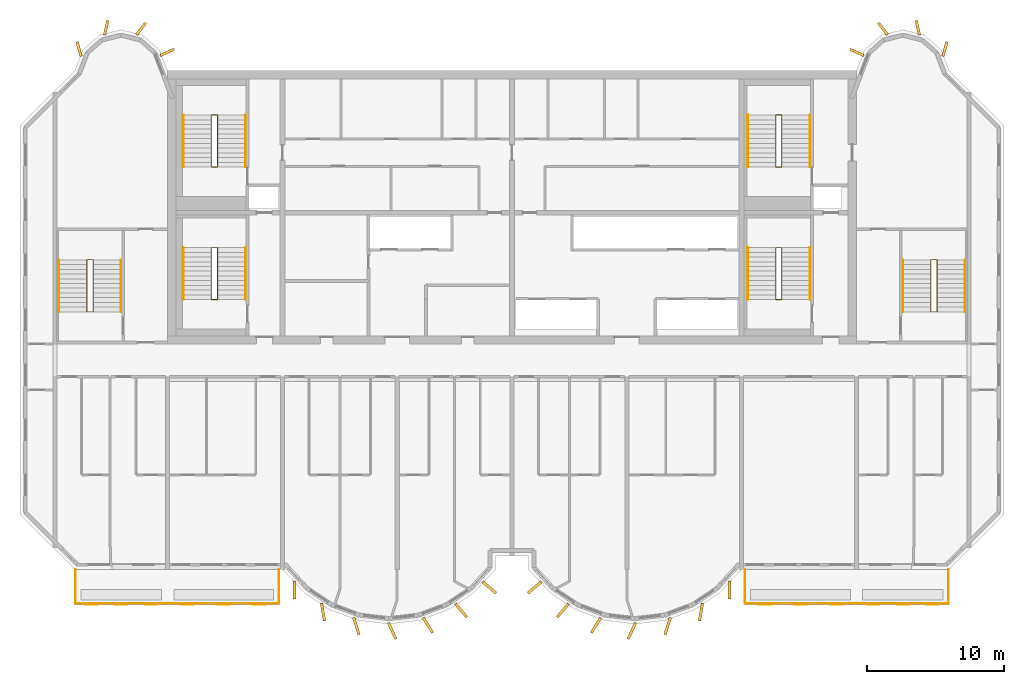
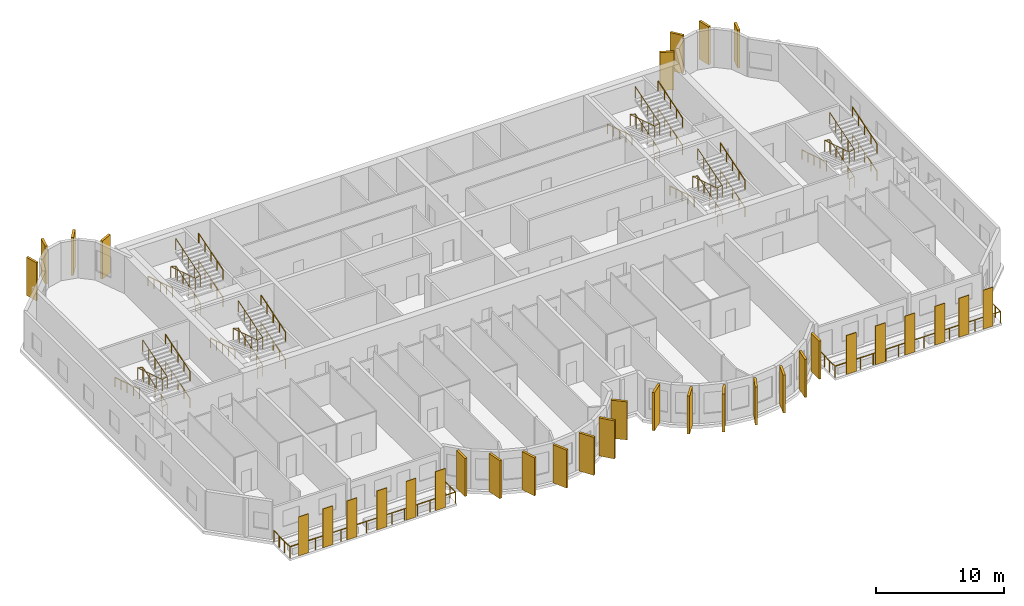
# One storey, part 10 of 11: 34 coverings, 26 railings.
"""IFC4 building model written with IfcOpenShell, lengths in metres."""

from ifc_helpers import new_model, si_unit, direction, frame, origin, origin_2d, place, context, subcontext, project, spatial, rectangle, circle, extrude, source, transform, mapped, material, layer, layer_set, material_profile, profile_set, type_object, element, save


model = new_model("IFC4")

# Units and contexts
model_context = context("Model", 3, precision=1e-05, world=origin(), true_north=direction((0.0, 1.0)))
body_context = subcontext(model_context, "Body", "Model", "MODEL_VIEW")
ifc_project = project(units=[si_unit("LENGTHUNIT", "METRE"), si_unit("AREAUNIT", "SQUARE_METRE"), si_unit("VOLUMEUNIT", "CUBIC_METRE"), si_unit("PLANEANGLEUNIT", "RADIAN"), si_unit("MASSUNIT", "GRAM", prefix="KILO")], contexts=[model_context])

# Site, building, storey
site_placement = place(None, origin())
site = spatial("IfcSite", under=ifc_project, at=site_placement, CompositionType="ELEMENT")
building_placement = place(site_placement, origin())
building = spatial("IfcBuilding", under=site, at=building_placement, Name="Vanashikhar Sky Hotel", CompositionType="ELEMENT")
storey_placement = place(building_placement, frame((0.0, 0.0, 229.60009765625)))
storey = spatial("IfcBuildingStorey", under=building, at=storey_placement, Name="L55", CompositionType="ELEMENT", Elevation=229.60009765625)

# Railings
ifc_material_1 = material(Name="Stainless steel 316", Category="steel")
railing_type_1 = type_object("IfcRailingType", Name="Balcony guard 1100", PredefinedType="GUARDRAIL", material=ifc_material_1)
shared_shape_1 = source(origin(), body_context, "Body", "SweptSolid", [
    extrude(circle(Radius=0.02392578125, at=origin_2d()), frame((0.0, 0.0, 1.076171875), z_axis=(0.0, -1.0, 0.0), x_axis=(1.0, 0.0, 0.0)), (0.0, 0.0, 1.0), 2.5),
    extrude(circle(Radius=0.02392578125, at=origin_2d()), frame((0.0, -2.5, 1.076171875), z_axis=(1.0, 0.0, 0.0), x_axis=(0.0, 1.0, 0.0)), (0.0, 0.0, 1.0), 14.880126953125),
    extrude(circle(Radius=0.02392578125, at=origin_2d()), frame((14.880126953125, -2.5, 1.076171875), z_axis=(0.0, 1.0, 0.0), x_axis=(-1.0, 0.0, 0.0)), (0.0, 0.0, 1.0), 2.5),
    extrude(circle(Radius=0.02099609375, at=origin_2d()), origin(), (0.0, 0.0, 1.0), 1.052001953125),
    extrude(circle(Radius=0.02099609375, at=origin_2d()), frame((0.0, -0.833251953125, 0.0)), (0.0, 0.0, 1.0), 1.052001953125),
    extrude(circle(Radius=0.02099609375, at=origin_2d()), frame((0.0, -1.666748046875, 0.0)), (0.0, 0.0, 1.0), 1.052001953125),
    extrude(circle(Radius=0.02099609375, at=origin_2d()), frame((0.0, -2.5, 0.0)), (0.0, 0.0, 1.0), 1.052001953125),
    extrude(circle(Radius=0.02099609375, at=origin_2d()), frame((1.14453125, -2.5, 0.0)), (0.0, 0.0, 1.0), 1.052001953125),
    extrude(circle(Radius=0.02099609375, at=origin_2d()), frame((2.289306640625, -2.5, 0.0)), (0.0, 0.0, 1.0), 1.052001953125),
    extrude(circle(Radius=0.02099609375, at=origin_2d()), frame((3.433837890625, -2.5, 0.0)), (0.0, 0.0, 1.0), 1.052001953125),
    extrude(circle(Radius=0.02099609375, at=origin_2d()), frame((4.57861328125, -2.5, 0.0)), (0.0, 0.0, 1.0), 1.052001953125),
    extrude(circle(Radius=0.02099609375, at=origin_2d()), frame((5.72314453125, -2.5, 0.0)), (0.0, 0.0, 1.0), 1.052001953125),
    extrude(circle(Radius=0.02099609375, at=origin_2d()), frame((6.86767578125, -2.5, 0.0)), (0.0, 0.0, 1.0), 1.052001953125),
    extrude(circle(Radius=0.02099609375, at=origin_2d()), frame((8.012451171875, -2.5, 0.0)), (0.0, 0.0, 1.0), 1.052001953125),
    extrude(circle(Radius=0.02099609375, at=origin_2d()), frame((9.156982421875, -2.5, 0.0)), (0.0, 0.0, 1.0), 1.052001953125),
    extrude(circle(Radius=0.02099609375, at=origin_2d()), frame((10.301513671875, -2.5, 0.0)), (0.0, 0.0, 1.0), 1.052001953125),
    extrude(circle(Radius=0.02099609375, at=origin_2d()), frame((11.4462890625, -2.5, 0.0)), (0.0, 0.0, 1.0), 1.052001953125),
    extrude(circle(Radius=0.02099609375, at=origin_2d()), frame((12.5908203125, -2.5, 0.0)), (0.0, 0.0, 1.0), 1.052001953125),
    extrude(circle(Radius=0.02099609375, at=origin_2d()), frame((13.735595703125, -2.5, 0.0)), (0.0, 0.0, 1.0), 1.052001953125),
    extrude(circle(Radius=0.02099609375, at=origin_2d()), frame((14.880126953125, -2.5, 0.0)), (0.0, 0.0, 1.0), 1.052001953125),
    extrude(circle(Radius=0.02099609375, at=origin_2d()), frame((14.880126953125, -1.666748046875, 0.0)), (0.0, 0.0, 1.0), 1.052001953125),
    extrude(circle(Radius=0.02099609375, at=origin_2d()), frame((14.880126953125, -0.833251953125, 0.0)), (0.0, 0.0, 1.0), 1.052001953125),
    extrude(circle(Radius=0.02099609375, at=origin_2d()), frame((14.880126953125, 0.0, 0.0)), (0.0, 0.0, 1.0), 1.052001953125),
])
for number, where, name in (
    (1, (18.4599609375, 5.5, -0.050048828125), "Balcony guard"),
    (2, (67.4599609375, 5.5, -0.050048828125), "Balcony guard"),
):
    element("IfcRailing", number, at=place(storey_placement, frame(where)), inside=storey, type_object=railing_type_1, Name=name, PredefinedType="GUARDRAIL", context=body_context, shape_type="MappedRepresentation", body=[
        mapped(shared_shape_1, transform((0.0, 0.0, 0.0), scale=1.0)),
    ])

# Coverings
ifc_material_2 = material(Name="Terracotta", Category="masonry")
ifc_layer = layer(ifc_material_2, 0.06005859375)
ifc_layer_set = layer_set([ifc_layer], Name="Terracotta baguette screen")
covering_type_1 = type_object("IfcCoveringType", Name="Terracotta baguette screen", PredefinedType="CLADDING", material=ifc_layer_set)
shared_shape_2 = source(origin(), body_context, "Body", "SweptSolid", [
    extrude(rectangle(XDim=0.89990234375, YDim=0.06005859375, at=origin_2d()), origin(), (0.0, 0.0, 1.0), 3.699951171875),
])
for number, where, z_axis, x_axis, name in (
    (3, (19.63330078125, 2.929931640625, -0.05029296875), (0.0, 0.0, 1.0), (1.0, 0.0, 0.0), "Terracotta screen"),
    (4, (21.800048828125, 2.929931640625, -0.05029296875), (0.0, 0.0, 1.0), (1.0, 0.0, 0.0), "Terracotta screen"),
    (5, (23.966796875, 2.929931640625, -0.05029296875), (0.0, 0.0, 1.0), (1.0, 0.0, 0.0), "Terracotta screen"),
    (6, (26.666748046875, 2.929931640625, -0.05029296875), (0.0, 0.0, 1.0), (1.0, 0.0, 0.0), "Terracotta screen"),
    (7, (29.300048828125, 2.929931640625, -0.05029296875), (0.0, 0.0, 1.0), (1.0, 0.0, 0.0), "Terracotta screen"),
    (8, (31.933349609375, 2.929931640625, -0.05029296875), (0.0, 0.0, 1.0), (1.0, 0.0, 0.0), "Terracotta screen"),
    (9, (68.86669921875, 2.929931640625, -0.05029296875), (0.0, 0.0, 1.0), (1.0, 0.0, 0.0), "Terracotta screen"),
    (10, (71.5, 2.929931640625, -0.05029296875), (0.0, 0.0, 1.0), (1.0, 0.0, 0.0), "Terracotta screen"),
    (11, (74.13330078125, 2.929931640625, -0.05029296875), (0.0, 0.0, 1.0), (1.0, 0.0, 0.0), "Terracotta screen"),
    (12, (76.833251953125, 2.929931640625, -0.05029296875), (0.0, 0.0, 1.0), (1.0, 0.0, 0.0), "Terracotta screen"),
    (13, (79.0, 2.929931640625, -0.05029296875), (0.0, 0.0, 1.0), (1.0, 0.0, 0.0), "Terracotta screen"),
    (14, (81.166748046875, 2.929931640625, -0.05029296875), (0.0, 0.0, 1.0), (1.0, 0.0, 0.0), "Terracotta screen"),
):
    element("IfcCovering", number, at=place(storey_placement, frame(where, z_axis=z_axis, x_axis=x_axis)), inside=storey, type_object=covering_type_1, Name=name, PredefinedType="CLADDING", context=body_context, shape_type="MappedRepresentation", body=[
        mapped(shared_shape_2, transform((0.0, 0.0, 0.0), scale=1.0)),
    ])
ifc_material_3 = material(Name="Concrete M60 dark", Category="concrete")
ifc_material_profile_1 = material_profile(ifc_material_3, rectangle(XDim=1.300048828125, YDim=0.199951171875, at=origin_2d()))
ifc_profile_set_1 = profile_set([ifc_material_profile_1], Name="Fin 1300 x 200")
covering_type_2 = type_object("IfcCoveringType", Name="Fin 1300 x 200", PredefinedType="CLADDING", material=ifc_profile_set_1)
shared_shape_3 = source(origin(), body_context, "Body", "SweptSolid", [
    extrude(rectangle(XDim=1.300048828125, YDim=0.199951171875, at=origin_2d()), origin(), (0.0, 0.0, 1.0), 3.619873046875),
])
for number, where, z_axis, x_axis, name in (
    (15, (34.482421875, 3.992919921875, 0.0), (0.0, 0.0, 1.0), (0.011588726826, -0.999932848451, 0.0), "Fin F1-1"),
    (16, (36.572509765625, 2.3779296875, 0.0), (0.0, 0.0, 1.0), (0.16989991575, -0.985461322746, 0.0), "Fin F1-2"),
    (17, (39.00830078125, 1.35693359375, 0.0), (0.0, 0.0, 1.0), (0.303966551867, -0.952682704444, 0.0), "Fin F1-3"),
    (18, (41.63232421875, 1.00146484375, 0.0), (0.0, 0.0, 1.0), (0.422618261741, -0.906307787037, 0.0), "Fin F1-4"),
    (19, (44.251953125, 1.416015625, 0.0), (0.0, 0.0, 1.0), (0.534411358496, -0.845224526331, 0.0), "Fin F1-5"),
    (20, (46.676025390625, 2.5, 0.0), (0.0, 0.0, 1.0), (0.645697609467, -0.763593214433, 0.0), "Fin F1-6"),
    (21, (48.7412109375, 4.1845703125, 0.0), (0.0, 0.0, 1.0), (0.758543912032, -0.65162192529, 0.0), "Fin F1-7"),
    (22, (52.058837890625, 4.1845703125, 0.0), (0.0, 0.0, 1.0), (-0.758543912032, -0.65162192529, 0.0), "Fin F2-1"),
    (23, (54.123779296875, 2.5, 0.0), (0.0, 0.0, 1.0), (-0.645697609467, -0.763593214433, 0.0), "Fin F2-2"),
    (24, (56.547119140625, 1.416015625, 0.0), (0.0, 0.0, 1.0), (-0.534411358496, -0.845224526331, 0.0), "Fin F2-3"),
    (25, (59.16748046875, 1.00146484375, 0.0), (0.0, 0.0, 1.0), (-0.422618261741, -0.906307787037, 0.0), "Fin F2-4"),
    (26, (61.790771484375, 1.35693359375, 0.0), (0.0, 0.0, 1.0), (-0.303966551867, -0.952682704444, 0.0), "Fin F2-5"),
    (27, (64.2275390625, 2.3779296875, 0.0), (0.0, 0.0, 1.0), (-0.16989991575, -0.985461322746, 0.0), "Fin F2-6"),
    (28, (66.317626953125, 3.992919921875, 0.0), (0.0, 0.0, 1.0), (-0.011588726826, -0.999932848451, 0.0), "Fin F2-7"),
):
    element("IfcCovering", number, at=place(storey_placement, frame(where, z_axis=z_axis, x_axis=x_axis)), inside=storey, type_object=covering_type_2, Name=name, PredefinedType="CLADDING", context=body_context, shape_type="MappedRepresentation", body=[
        mapped(shared_shape_3, transform((0.0, 0.0, 0.0), scale=1.0)),
    ])
ifc_material_profile_2 = material_profile(ifc_material_3, rectangle(XDim=1.10009765625, YDim=0.199951171875, at=origin_2d()))
ifc_profile_set_2 = profile_set([ifc_material_profile_2], Name="Rear lobe fin 1100 x 200")
covering_type_3 = type_object("IfcCoveringType", Name="Rear lobe fin 1100 x 200", PredefinedType="CLADDING", material=ifc_profile_set_2)
shared_shape_4 = source(origin(), body_context, "Body", "SweptSolid", [
    extrude(rectangle(XDim=1.10009765625, YDim=0.199951171875, at=origin_2d()), origin(), (0.0, 0.0, 1.0), 3.619873046875),
])
for number, where, z_axis, x_axis, name in (
    (29, (18.720703125, 43.580078125, 0.0), (0.0, 0.0, 1.0), (-0.262711264409, 0.964874495234, 0.0), "Fin R1-1"),
    (30, (20.710205078125, 45.1455078125, 0.0), (0.0, 0.0, 1.0), (0.224644935864, 0.974440687159, 0.0), "Fin R1-2"),
    (31, (23.261962890625, 45.06640625, 0.0), (0.0, 0.0, 1.0), (0.602065892195, 0.798446404874, 0.0), "Fin R1-3"),
    (32, (25.169677734375, 43.33447265625, 0.0), (0.0, 0.0, 1.0), (0.908004291068, 0.418960866193, 0.0), "Fin R1-4"),
    (33, (75.63037109375, 43.33447265625, 0.0), (0.0, 0.0, 1.0), (-0.908004291068, 0.418960866193, 0.0), "Fin R2-1"),
    (34, (77.5380859375, 45.06640625, 0.0), (0.0, 0.0, 1.0), (-0.602065892195, 0.798446404874, 0.0), "Fin R2-2"),
    (35, (80.08984375, 45.1455078125, 0.0), (0.0, 0.0, 1.0), (-0.224644935864, 0.974440687159, 0.0), "Fin R2-3"),
    (36, (82.0791015625, 43.580078125, 0.0), (0.0, 0.0, 1.0), (0.262711264409, 0.964874495234, 0.0), "Fin R2-4"),
):
    element("IfcCovering", number, at=place(storey_placement, frame(where, z_axis=z_axis, x_axis=x_axis)), inside=storey, type_object=covering_type_3, Name=name, PredefinedType="CLADDING", context=body_context, shape_type="MappedRepresentation", body=[
        mapped(shared_shape_4, transform((0.0, 0.0, 0.0), scale=1.0)),
    ])

# Railings
ifc_material_4 = material(Name="Steel S355", Category="steel")
railing_type_2 = type_object("IfcRailingType", Name="Stair handrail 900", PredefinedType="HANDRAIL", material=ifc_material_4)
shared_shape_5 = source(origin(), body_context, "Body", "SweptSolid", [
    extrude(circle(Radius=0.02392578125, at=origin_2d()), frame((0.0, 0.0, 0.8759765625), z_axis=(0.0, 0.95418390146, 0.299220791714), x_axis=(-1.0, 0.0, 0.0)), (0.0, 0.0, 1.0), 3.982421875),
    extrude(circle(Radius=0.02099609375, at=origin_2d()), origin(), (0.0, 0.0, 1.0), 0.851806640625),
    extrude(circle(Radius=0.02099609375, at=origin_2d()), frame((0.0, 0.949951171875, 0.2978515625)), (0.0, 0.0, 1.0), 0.851806640625),
    extrude(circle(Radius=0.02099609375, at=origin_2d()), frame((0.0, 1.89990234375, 0.595703125)), (0.0, 0.0, 1.0), 0.851806640625),
    extrude(circle(Radius=0.02099609375, at=origin_2d()), frame((0.0, 2.85009765625, 0.893798828125)), (0.0, 0.0, 1.0), 0.851806640625),
    extrude(circle(Radius=0.02099609375, at=origin_2d()), frame((0.0, 3.800048828125, 1.191650390625)), (0.0, 0.0, 1.0), 0.851806640625),
])
for number, where, name in (
    (37, (30.89990234375, 25.25, 0.108154296875), "Exit stair 1 handrail"),
    (38, (30.89990234375, 25.25, 2.708251953125), "Exit stair 1 handrail"),
    (39, (72.199951171875, 25.25, 0.108154296875), "Exit stair 2 handrail"),
    (40, (72.199951171875, 25.25, 2.708251953125), "Exit stair 2 handrail"),
    (41, (30.89990234375, 34.949951171875, 0.108154296875), "Exit stair 5 handrail"),
    (42, (30.89990234375, 34.949951171875, 2.708251953125), "Exit stair 5 handrail"),
    (43, (72.199951171875, 34.949951171875, 0.108154296875), "Exit stair 6 handrail"),
    (44, (72.199951171875, 34.949951171875, 2.708251953125), "Exit stair 6 handrail"),
):
    element("IfcRailing", number, at=place(storey_placement, frame(where)), inside=storey, type_object=railing_type_2, Name=name, PredefinedType="HANDRAIL", context=body_context, shape_type="MappedRepresentation", body=[
        mapped(shared_shape_5, transform((0.0, 0.0, 0.0), scale=1.0)),
    ])
shared_shape_6 = source(origin(), body_context, "Body", "SweptSolid", [
    extrude(circle(Radius=0.02392578125, at=origin_2d()), frame((0.0, 0.0, 0.8759765625), z_axis=(0.0, -0.95418390146, 0.299220791714), x_axis=(1.0, 0.0, 0.0)), (0.0, 0.0, 1.0), 3.982421875),
    extrude(circle(Radius=0.02099609375, at=origin_2d()), origin(), (0.0, 0.0, 1.0), 0.851806640625),
    extrude(circle(Radius=0.02099609375, at=origin_2d()), frame((0.0, -0.949951171875, 0.2978515625)), (0.0, 0.0, 1.0), 0.851806640625),
    extrude(circle(Radius=0.02099609375, at=origin_2d()), frame((0.0, -1.89990234375, 0.595703125)), (0.0, 0.0, 1.0), 0.851806640625),
    extrude(circle(Radius=0.02099609375, at=origin_2d()), frame((0.0, -2.85009765625, 0.893798828125)), (0.0, 0.0, 1.0), 0.851806640625),
    extrude(circle(Radius=0.02099609375, at=origin_2d()), frame((0.0, -3.800048828125, 1.191650390625)), (0.0, 0.0, 1.0), 0.851806640625),
])
for number, where, name in (
    (45, (26.35009765625, 29.050048828125, 1.408203125), "Exit stair 1 handrail"),
    (46, (67.64990234375, 29.050048828125, 1.408203125), "Exit stair 2 handrail"),
    (47, (26.35009765625, 38.75, 1.408203125), "Exit stair 5 handrail"),
    (48, (67.64990234375, 38.75, 1.408203125), "Exit stair 6 handrail"),
):
    element("IfcRailing", number, at=place(storey_placement, frame(where)), inside=storey, type_object=railing_type_2, Name=name, PredefinedType="HANDRAIL", context=body_context, shape_type="MappedRepresentation", body=[
        mapped(shared_shape_6, transform((0.0, 0.0, 0.0), scale=1.0)),
    ])
railing_type_3 = type_object("IfcRailingType", Name="Stair guard 1100", PredefinedType="GUARDRAIL", material=ifc_material_4)
shared_shape_7 = source(origin(), body_context, "Body", "SweptSolid", [
    extrude(circle(Radius=0.02392578125, at=origin_2d()), frame((0.0, 0.0, 1.076171875), z_axis=(0.972334627364, 0.0, 0.233592320999), x_axis=(0.0, 1.0, 0.0)), (0.0, 0.0, 1.0), 0.462890625),
    extrude(circle(Radius=0.02392578125, at=origin_2d()), frame((0.4501953125, 0.0, 1.18408203125), z_axis=(0.0, 0.95418390146, 0.299220791714), x_axis=(-1.0, 0.0, 0.0)), (0.0, 0.0, 1.0), 3.982421875),
    extrude(circle(Radius=0.02392578125, at=origin_2d()), frame((0.4501953125, 3.800048828125, 2.3759765625), z_axis=(-0.972214749574, 0.0, 0.234090753151), x_axis=(0.0, -1.0, 0.0)), (0.0, 0.0, 1.0), 0.463134765625),
    extrude(circle(Radius=0.02392578125, at=origin_2d()), frame((0.0, 3.800048828125, 2.484375), z_axis=(0.0, -0.95418390146, 0.299220791714), x_axis=(1.0, 0.0, 0.0)), (0.0, 0.0, 1.0), 3.982421875),
    extrude(circle(Radius=0.02392578125, at=origin_2d()), frame((0.0, 0.0, 3.67578125), z_axis=(0.972214749574, 0.0, 0.234090753151), x_axis=(0.0, 1.0, 0.0)), (0.0, 0.0, 1.0), 0.463134765625),
    extrude(circle(Radius=0.02392578125, at=origin_2d()), frame((0.4501953125, 0.0, 3.7841796875), z_axis=(0.0, 0.95418390146, 0.299220791714), x_axis=(-1.0, 0.0, 0.0)), (0.0, 0.0, 1.0), 3.982421875),
    extrude(circle(Radius=0.02099609375, at=origin_2d()), origin(), (0.0, 0.0, 1.0), 1.052001953125),
    extrude(circle(Radius=0.02099609375, at=origin_2d()), frame((0.4501953125, 0.0, 0.108154296875)), (0.0, 0.0, 1.0), 1.052001953125),
    extrude(circle(Radius=0.02099609375, at=origin_2d()), frame((0.4501953125, 0.949951171875, 0.406005859375)), (0.0, 0.0, 1.0), 1.052001953125),
    extrude(circle(Radius=0.02099609375, at=origin_2d()), frame((0.4501953125, 1.89990234375, 0.7041015625)), (0.0, 0.0, 1.0), 1.052001953125),
    extrude(circle(Radius=0.02099609375, at=origin_2d()), frame((0.4501953125, 2.85009765625, 1.001953125)), (0.0, 0.0, 1.0), 1.052001953125),
    extrude(circle(Radius=0.02099609375, at=origin_2d()), frame((0.4501953125, 3.800048828125, 1.2998046875)), (0.0, 0.0, 1.0), 1.052001953125),
    extrude(circle(Radius=0.02099609375, at=origin_2d()), frame((0.0, 3.800048828125, 1.408203125)), (0.0, 0.0, 1.0), 1.052001953125),
    extrude(circle(Radius=0.02099609375, at=origin_2d()), frame((0.0, 2.85009765625, 1.7060546875)), (0.0, 0.0, 1.0), 1.052001953125),
    extrude(circle(Radius=0.02099609375, at=origin_2d()), frame((0.0, 1.89990234375, 2.00390625)), (0.0, 0.0, 1.0), 1.052001953125),
    extrude(circle(Radius=0.02099609375, at=origin_2d()), frame((0.0, 0.949951171875, 2.302001953125)), (0.0, 0.0, 1.0), 1.052001953125),
    extrude(circle(Radius=0.02099609375, at=origin_2d()), frame((0.0, 0.0, 2.599853515625)), (0.0, 0.0, 1.0), 1.052001953125),
    extrude(circle(Radius=0.02099609375, at=origin_2d()), frame((0.4501953125, 0.0, 2.708251953125)), (0.0, 0.0, 1.0), 1.052001953125),
    extrude(circle(Radius=0.02099609375, at=origin_2d()), frame((0.4501953125, 0.949951171875, 3.006103515625)), (0.0, 0.0, 1.0), 1.052001953125),
    extrude(circle(Radius=0.02099609375, at=origin_2d()), frame((0.4501953125, 1.89990234375, 3.30419921875)), (0.0, 0.0, 1.0), 1.052001953125),
    extrude(circle(Radius=0.02099609375, at=origin_2d()), frame((0.4501953125, 2.85009765625, 3.60205078125)), (0.0, 0.0, 1.0), 1.052001953125),
    extrude(circle(Radius=0.02099609375, at=origin_2d()), frame((0.4501953125, 3.800048828125, 3.89990234375)), (0.0, 0.0, 1.0), 1.052001953125),
])
for number, where, name in (
    (49, (28.39990234375, 25.25, 0.0), "Exit stair 1 guard"),
    (50, (28.39990234375, 34.949951171875, 0.0), "Exit stair 5 guard"),
):
    element("IfcRailing", number, at=place(storey_placement, frame(where)), inside=storey, type_object=railing_type_3, Name=name, PredefinedType="GUARDRAIL", context=body_context, shape_type="MappedRepresentation", body=[
        mapped(shared_shape_7, transform((0.0, 0.0, 0.0), scale=1.0)),
    ])
shared_shape_8 = source(origin(), body_context, "Body", "SweptSolid", [
    extrude(circle(Radius=0.02392578125, at=origin_2d()), frame((0.0, 0.0, 1.076171875), z_axis=(0.972305833095, 0.0, 0.233712145448), x_axis=(0.0, 1.0, 0.0)), (0.0, 0.0, 1.0), 0.462646484375),
    extrude(circle(Radius=0.02392578125, at=origin_2d()), frame((0.449951171875, 0.0, 1.18408203125), z_axis=(0.0, 0.95418390146, 0.299220791714), x_axis=(-1.0, 0.0, 0.0)), (0.0, 0.0, 1.0), 3.982421875),
    extrude(circle(Radius=0.02392578125, at=origin_2d()), frame((0.449951171875, 3.800048828125, 2.3759765625), z_axis=(-0.972185835864, 0.0, 0.234210803648), x_axis=(0.0, -1.0, 0.0)), (0.0, 0.0, 1.0), 0.462890625),
    extrude(circle(Radius=0.02392578125, at=origin_2d()), frame((0.0, 3.800048828125, 2.484375), z_axis=(0.0, -0.95418390146, 0.299220791714), x_axis=(1.0, 0.0, 0.0)), (0.0, 0.0, 1.0), 3.982421875),
    extrude(circle(Radius=0.02392578125, at=origin_2d()), frame((0.0, 0.0, 3.67578125), z_axis=(0.972185835864, 0.0, 0.234210803648), x_axis=(0.0, 1.0, 0.0)), (0.0, 0.0, 1.0), 0.462890625),
    extrude(circle(Radius=0.02392578125, at=origin_2d()), frame((0.449951171875, 0.0, 3.7841796875), z_axis=(0.0, 0.95418390146, 0.299220791714), x_axis=(-1.0, 0.0, 0.0)), (0.0, 0.0, 1.0), 3.982421875),
    extrude(circle(Radius=0.02099609375, at=origin_2d()), origin(), (0.0, 0.0, 1.0), 1.052001953125),
    extrude(circle(Radius=0.02099609375, at=origin_2d()), frame((0.449951171875, 0.0, 0.108154296875)), (0.0, 0.0, 1.0), 1.052001953125),
    extrude(circle(Radius=0.02099609375, at=origin_2d()), frame((0.449951171875, 0.949951171875, 0.406005859375)), (0.0, 0.0, 1.0), 1.052001953125),
    extrude(circle(Radius=0.02099609375, at=origin_2d()), frame((0.449951171875, 1.89990234375, 0.7041015625)), (0.0, 0.0, 1.0), 1.052001953125),
    extrude(circle(Radius=0.02099609375, at=origin_2d()), frame((0.449951171875, 2.85009765625, 1.001953125)), (0.0, 0.0, 1.0), 1.052001953125),
    extrude(circle(Radius=0.02099609375, at=origin_2d()), frame((0.449951171875, 3.800048828125, 1.2998046875)), (0.0, 0.0, 1.0), 1.052001953125),
    extrude(circle(Radius=0.02099609375, at=origin_2d()), frame((0.0, 3.800048828125, 1.408203125)), (0.0, 0.0, 1.0), 1.052001953125),
    extrude(circle(Radius=0.02099609375, at=origin_2d()), frame((0.0, 2.85009765625, 1.7060546875)), (0.0, 0.0, 1.0), 1.052001953125),
    extrude(circle(Radius=0.02099609375, at=origin_2d()), frame((0.0, 1.89990234375, 2.00390625)), (0.0, 0.0, 1.0), 1.052001953125),
    extrude(circle(Radius=0.02099609375, at=origin_2d()), frame((0.0, 0.949951171875, 2.302001953125)), (0.0, 0.0, 1.0), 1.052001953125),
    extrude(circle(Radius=0.02099609375, at=origin_2d()), frame((0.0, 0.0, 2.599853515625)), (0.0, 0.0, 1.0), 1.052001953125),
    extrude(circle(Radius=0.02099609375, at=origin_2d()), frame((0.449951171875, 0.0, 2.708251953125)), (0.0, 0.0, 1.0), 1.052001953125),
    extrude(circle(Radius=0.02099609375, at=origin_2d()), frame((0.449951171875, 0.949951171875, 3.006103515625)), (0.0, 0.0, 1.0), 1.052001953125),
    extrude(circle(Radius=0.02099609375, at=origin_2d()), frame((0.449951171875, 1.89990234375, 3.30419921875)), (0.0, 0.0, 1.0), 1.052001953125),
    extrude(circle(Radius=0.02099609375, at=origin_2d()), frame((0.449951171875, 2.85009765625, 3.60205078125)), (0.0, 0.0, 1.0), 1.052001953125),
    extrude(circle(Radius=0.02099609375, at=origin_2d()), frame((0.449951171875, 3.800048828125, 3.89990234375)), (0.0, 0.0, 1.0), 1.052001953125),
])
for number, where, name in (
    (51, (69.699951171875, 25.25, 0.0), "Exit stair 2 guard"),
    (52, (69.699951171875, 34.949951171875, 0.0), "Exit stair 6 guard"),
):
    element("IfcRailing", number, at=place(storey_placement, frame(where)), inside=storey, type_object=railing_type_3, Name=name, PredefinedType="GUARDRAIL", context=body_context, shape_type="MappedRepresentation", body=[
        mapped(shared_shape_8, transform((0.0, 0.0, 0.0), scale=1.0)),
    ])
shared_shape_9 = source(origin(), body_context, "Body", "SweptSolid", [
    extrude(circle(Radius=0.02392578125, at=origin_2d()), frame((0.0, 0.0, 0.8759765625), z_axis=(0.0, 0.954178412317, 0.299238295459), x_axis=(-1.0, 0.0, 0.0)), (0.0, 0.0, 1.0), 3.982177734375),
    extrude(circle(Radius=0.02099609375, at=origin_2d()), origin(), (0.0, 0.0, 1.0), 0.851806640625),
    extrude(circle(Radius=0.02099609375, at=origin_2d()), frame((0.0, 0.949951171875, 0.2978515625)), (0.0, 0.0, 1.0), 0.851806640625),
    extrude(circle(Radius=0.02099609375, at=origin_2d()), frame((0.0, 1.89990234375, 0.595703125)), (0.0, 0.0, 1.0), 0.851806640625),
    extrude(circle(Radius=0.02099609375, at=origin_2d()), frame((0.0, 2.849853515625, 0.893798828125)), (0.0, 0.0, 1.0), 0.851806640625),
    extrude(circle(Radius=0.02099609375, at=origin_2d()), frame((0.0, 3.7998046875, 1.191650390625)), (0.0, 0.0, 1.0), 0.851806640625),
])
for number, where, name in (
    (53, (21.800048828125, 24.35009765625, 0.108154296875), "Exit stair 3 handrail"),
    (54, (21.800048828125, 24.35009765625, 2.708251953125), "Exit stair 3 handrail"),
    (55, (83.550048828125, 24.35009765625, 0.108154296875), "Exit stair 4 handrail"),
    (56, (83.550048828125, 24.35009765625, 2.708251953125), "Exit stair 4 handrail"),
):
    element("IfcRailing", number, at=place(storey_placement, frame(where)), inside=storey, type_object=railing_type_2, Name=name, PredefinedType="HANDRAIL", context=body_context, shape_type="MappedRepresentation", body=[
        mapped(shared_shape_9, transform((0.0, 0.0, 0.0), scale=1.0)),
    ])
shared_shape_10 = source(origin(), body_context, "Body", "SweptSolid", [
    extrude(circle(Radius=0.02392578125, at=origin_2d()), frame((0.0, 0.0, 0.8759765625), z_axis=(0.0, -0.954178412317, 0.299238295459), x_axis=(1.0, 0.0, 0.0)), (0.0, 0.0, 1.0), 3.982177734375),
    extrude(circle(Radius=0.02099609375, at=origin_2d()), origin(), (0.0, 0.0, 1.0), 0.851806640625),
    extrude(circle(Radius=0.02099609375, at=origin_2d()), frame((0.0, -0.949951171875, 0.2978515625)), (0.0, 0.0, 1.0), 0.851806640625),
    extrude(circle(Radius=0.02099609375, at=origin_2d()), frame((0.0, -1.89990234375, 0.595703125)), (0.0, 0.0, 1.0), 0.851806640625),
    extrude(circle(Radius=0.02099609375, at=origin_2d()), frame((0.0, -2.849853515625, 0.893798828125)), (0.0, 0.0, 1.0), 0.851806640625),
    extrude(circle(Radius=0.02099609375, at=origin_2d()), frame((0.0, -3.7998046875, 1.191650390625)), (0.0, 0.0, 1.0), 0.851806640625),
])
for number, where, name in (
    (57, (17.25, 28.14990234375, 1.408203125), "Exit stair 3 handrail"),
    (58, (79.0, 28.14990234375, 1.408203125), "Exit stair 4 handrail"),
):
    element("IfcRailing", number, at=place(storey_placement, frame(where)), inside=storey, type_object=railing_type_2, Name=name, PredefinedType="HANDRAIL", context=body_context, shape_type="MappedRepresentation", body=[
        mapped(shared_shape_10, transform((0.0, 0.0, 0.0), scale=1.0)),
    ])
shared_shape_11 = source(origin(), body_context, "Body", "SweptSolid", [
    extrude(circle(Radius=0.02392578125, at=origin_2d()), frame((0.0, 0.0, 1.076171875), z_axis=(0.972305833095, 0.0, 0.233712145448), x_axis=(0.0, 1.0, 0.0)), (0.0, 0.0, 1.0), 0.462646484375),
    extrude(circle(Radius=0.02392578125, at=origin_2d()), frame((0.449951171875, 0.0, 1.18408203125), z_axis=(0.0, 0.954178412317, 0.299238295459), x_axis=(-1.0, 0.0, 0.0)), (0.0, 0.0, 1.0), 3.982177734375),
    extrude(circle(Radius=0.02392578125, at=origin_2d()), frame((0.449951171875, 3.7998046875, 2.3759765625), z_axis=(-0.972185835864, 0.0, 0.234210803648), x_axis=(0.0, -1.0, 0.0)), (0.0, 0.0, 1.0), 0.462890625),
    extrude(circle(Radius=0.02392578125, at=origin_2d()), frame((0.0, 3.7998046875, 2.484375), z_axis=(0.0, -0.954178412317, 0.299238295459), x_axis=(1.0, 0.0, 0.0)), (0.0, 0.0, 1.0), 3.982177734375),
    extrude(circle(Radius=0.02392578125, at=origin_2d()), frame((0.0, 0.0, 3.67578125), z_axis=(0.972185835864, 0.0, 0.234210803648), x_axis=(0.0, 1.0, 0.0)), (0.0, 0.0, 1.0), 0.462890625),
    extrude(circle(Radius=0.02392578125, at=origin_2d()), frame((0.449951171875, 0.0, 3.7841796875), z_axis=(0.0, 0.954178412317, 0.299238295459), x_axis=(-1.0, 0.0, 0.0)), (0.0, 0.0, 1.0), 3.982177734375),
    extrude(circle(Radius=0.02099609375, at=origin_2d()), origin(), (0.0, 0.0, 1.0), 1.052001953125),
    extrude(circle(Radius=0.02099609375, at=origin_2d()), frame((0.449951171875, 0.0, 0.108154296875)), (0.0, 0.0, 1.0), 1.052001953125),
    extrude(circle(Radius=0.02099609375, at=origin_2d()), frame((0.449951171875, 0.949951171875, 0.406005859375)), (0.0, 0.0, 1.0), 1.052001953125),
    extrude(circle(Radius=0.02099609375, at=origin_2d()), frame((0.449951171875, 1.89990234375, 0.7041015625)), (0.0, 0.0, 1.0), 1.052001953125),
    extrude(circle(Radius=0.02099609375, at=origin_2d()), frame((0.449951171875, 2.849853515625, 1.001953125)), (0.0, 0.0, 1.0), 1.052001953125),
    extrude(circle(Radius=0.02099609375, at=origin_2d()), frame((0.449951171875, 3.7998046875, 1.2998046875)), (0.0, 0.0, 1.0), 1.052001953125),
    extrude(circle(Radius=0.02099609375, at=origin_2d()), frame((0.0, 3.7998046875, 1.408203125)), (0.0, 0.0, 1.0), 1.052001953125),
    extrude(circle(Radius=0.02099609375, at=origin_2d()), frame((0.0, 2.849853515625, 1.7060546875)), (0.0, 0.0, 1.0), 1.052001953125),
    extrude(circle(Radius=0.02099609375, at=origin_2d()), frame((0.0, 1.89990234375, 2.00390625)), (0.0, 0.0, 1.0), 1.052001953125),
    extrude(circle(Radius=0.02099609375, at=origin_2d()), frame((0.0, 0.949951171875, 2.302001953125)), (0.0, 0.0, 1.0), 1.052001953125),
    extrude(circle(Radius=0.02099609375, at=origin_2d()), frame((0.0, 0.0, 2.599853515625)), (0.0, 0.0, 1.0), 1.052001953125),
    extrude(circle(Radius=0.02099609375, at=origin_2d()), frame((0.449951171875, 0.0, 2.708251953125)), (0.0, 0.0, 1.0), 1.052001953125),
    extrude(circle(Radius=0.02099609375, at=origin_2d()), frame((0.449951171875, 0.949951171875, 3.006103515625)), (0.0, 0.0, 1.0), 1.052001953125),
    extrude(circle(Radius=0.02099609375, at=origin_2d()), frame((0.449951171875, 1.89990234375, 3.30419921875)), (0.0, 0.0, 1.0), 1.052001953125),
    extrude(circle(Radius=0.02099609375, at=origin_2d()), frame((0.449951171875, 2.849853515625, 3.60205078125)), (0.0, 0.0, 1.0), 1.052001953125),
    extrude(circle(Radius=0.02099609375, at=origin_2d()), frame((0.449951171875, 3.7998046875, 3.89990234375)), (0.0, 0.0, 1.0), 1.052001953125),
])
for number, where, name in (
    (59, (19.300048828125, 24.35009765625, 0.0), "Exit stair 3 guard"),
    (60, (81.050048828125, 24.35009765625, 0.0), "Exit stair 4 guard"),
):
    element("IfcRailing", number, at=place(storey_placement, frame(where)), inside=storey, type_object=railing_type_3, Name=name, PredefinedType="GUARDRAIL", context=body_context, shape_type="MappedRepresentation", body=[
        mapped(shared_shape_11, transform((0.0, 0.0, 0.0), scale=1.0)),
    ])

save(model, "model.ifc")
